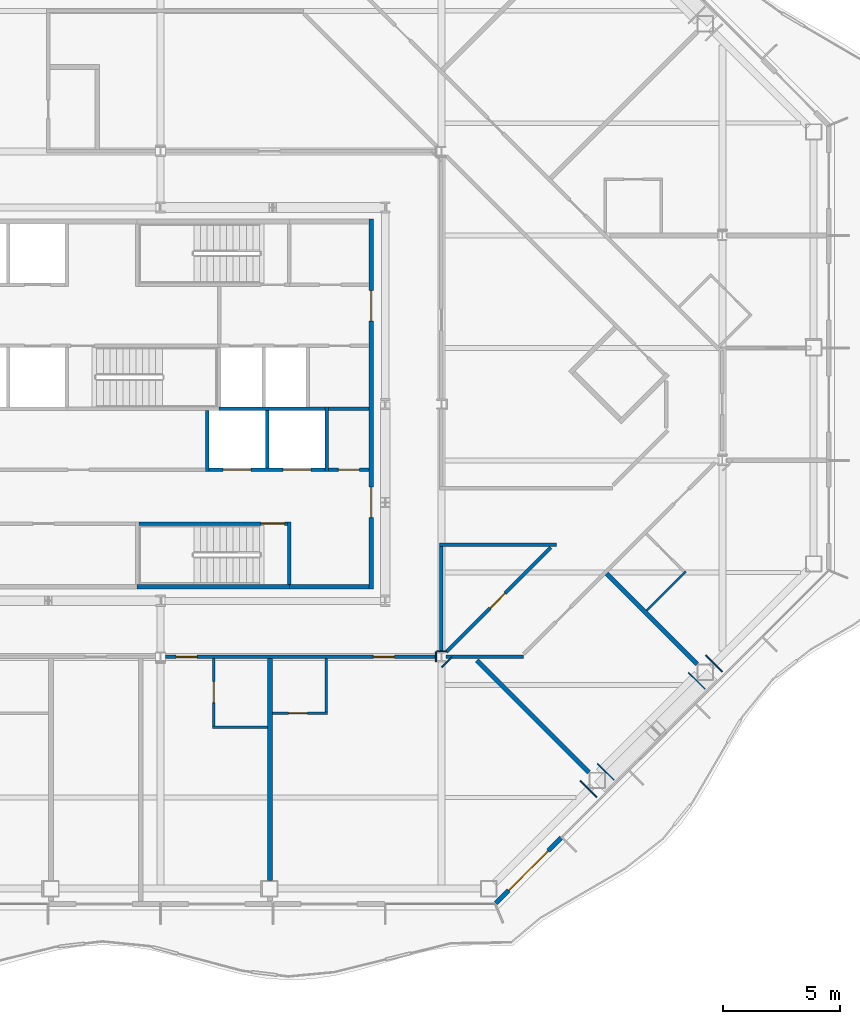
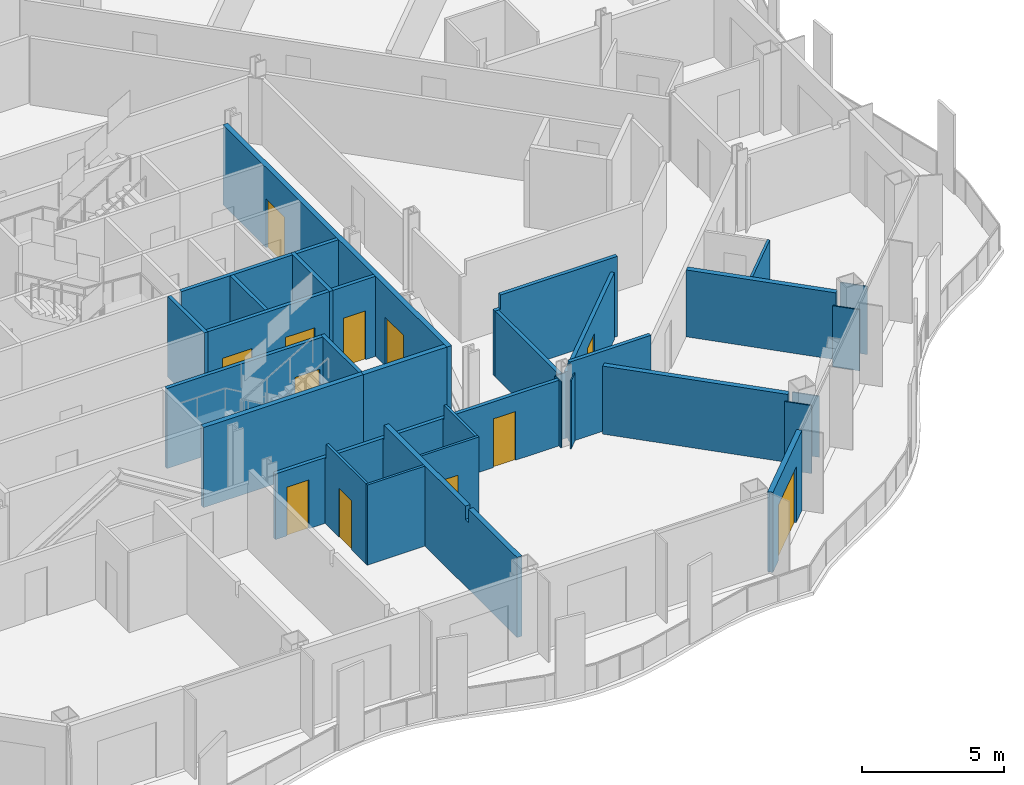
# One storey, part 9 of 21: 33 walls, 12 doors, 12 openings.
"""IFC4 building model written with IfcOpenShell, lengths in metres."""

from ifc_helpers import new_model, si_unit, direction, frame, frame_2d, origin, place, context, subcontext, project, spatial, polyline, rectangle, outline, extrude, material, layer, layer_set, type_object, element, fill, save


model = new_model("IFC4")

# Units and contexts
model_context = context("Model", 3, precision=1e-05, world=origin(), true_north=direction((0.0, 1.0)))
body_context = subcontext(model_context, "Body", "Model", "MODEL_VIEW")
ifc_project = project(units=[si_unit("LENGTHUNIT", "METRE"), si_unit("AREAUNIT", "SQUARE_METRE"), si_unit("VOLUMEUNIT", "CUBIC_METRE"), si_unit("PLANEANGLEUNIT", "RADIAN"), si_unit("MASSUNIT", "GRAM", prefix="KILO")], contexts=[model_context])

# Site, building, storey
site_placement = place(None, origin())
site = spatial("IfcSite", under=ifc_project, at=site_placement, CompositionType="ELEMENT")
building_placement = place(site_placement, origin())
building = spatial("IfcBuilding", under=site, at=building_placement, Name="Cairn Pilgrim Tower", CompositionType="ELEMENT")
storey_placement = place(building_placement, frame((0.0, 0.0, 132.60009765625)))
storey = spatial("IfcBuildingStorey", under=building, at=storey_placement, Name="L32", CompositionType="ELEMENT", Elevation=132.60009765625)

# Wall, opening, door
ifc_material_1 = material(Name="Bronze anodised aluminium insulated sandwich panel with mineral wool fill", Category="aluminium")
ifc_layer_1 = layer(ifc_material_1, 0.199951171875)
ifc_layer_set_1 = layer_set([ifc_layer_1], Name="BRONZE INFILL FRAME WALL 200")
wall_type_1 = type_object("IfcWallType", Name="BRONZE INFILL FRAME WALL 200", PredefinedType="NOTDEFINED", material=ifc_layer_set_1)
wall_1_placement = place(storey_placement, frame((21.524658203125, -18.921630859375, 0.0), z_axis=(0.0, 0.0, 1.0), x_axis=(0.707137595296, 0.707075965734, 0.0)))
wall_1 = element("IfcWall", 1, at=wall_1_placement, inside=storey, type_object=wall_type_1, Name="Bronze infill frame wall IW-SE1", PredefinedType="NOTDEFINED", context=body_context, shape_type="SweptSolid", body=[
    extrude(rectangle(XDim=3.96142578125, YDim=0.199951171875, at=frame_2d((1.980712890625, 0.0))), origin(), (0.0, 0.0, 1.0), 3.449951171875),
])
opening_1_placement = place(wall_1_placement, frame((0.775390625, 0.0, 0.0)))
opening_1 = element("IfcOpeningElement", 2, at=opening_1_placement, cuts=wall_1, Name="Opening 3202B2", PredefinedType="OPENING", context=body_context, shape_type="SweptSolid", body=[
    extrude(rectangle(XDim=2.39990234375, YDim=2.39990234375, at=frame_2d((1.199951171875, 1.199951171875))), frame((0.0, 0.10986328125, 0.0), z_axis=(0.0, -1.0, 0.0), x_axis=(1.0, 0.0, 0.0)), (0.0, 0.0, 1.0), 0.219970703125),
])
ifc_material_2 = material(Name="Bronze anodised aluminium frame with tinted low-E glass", Category="aluminium")
door_type_1 = type_object("IfcDoorType", Name="BALCONY SLIDING DOOR 2400x2400", OperationType="DOUBLE_DOOR_SLIDING", PredefinedType="DOOR", material=ifc_material_2)
door_1_placement = place(opening_1_placement, origin())
door_1 = element("IfcDoor", 3, at=door_1_placement, inside=storey, type_object=door_type_1, Name="Balcony sliding door 3202B2", OperationType="SINGLE_SWING_LEFT", OverallHeight=2.39990234375, OverallWidth=2.39990234375, PredefinedType="DOOR", context=body_context, shape_type="SweptSolid", body=[
    extrude(rectangle(XDim=2.39990234375, YDim=2.39990234375, at=frame_2d((1.199951171875, 1.199951171875))), frame((0.0, 0.02490234375, 0.0), z_axis=(0.0, -1.0, 0.0), x_axis=(1.0, 0.0, 0.0)), (0.0, 0.0, 1.0), 0.050048828125),
])
fill(opening_1, door_1)

# Wall
ifc_material_3 = material(Name="Concrete C32/40", Category="concrete")
ifc_layer_2 = layer(ifc_material_3, 0.199951171875)
ifc_layer_set_2 = layer_set([ifc_layer_2], Name="CORE OUTER WALL 200 EI 120")
wall_type_2 = type_object("IfcWallType", Name="CORE OUTER WALL 200 EI 120", PredefinedType="SOLIDWALL", material=ifc_layer_set_2)
wall_2_placement = place(storey_placement, frame((12.699951171875, -5.39990234375, 0.0), z_axis=(0.0, 0.0, 1.0), x_axis=(1.0, 0.0, 0.0)))
element("IfcWall", 4, at=wall_2_placement, inside=storey, type_object=wall_type_2, Name="CW:L32:H01-3", PredefinedType="SOLIDWALL", context=body_context, shape_type="SweptSolid", body=[
    extrude(rectangle(XDim=3.400146484375, YDim=0.199951171875, at=frame_2d((1.7001953125, 0.0))), origin(), (0.0, 0.0, 1.0), 3.449951171875),
])

# Wall, openings, doors
wall_3_placement = place(storey_placement, frame((16.199951171875, -5.5, 0.0), z_axis=(0.0, 0.0, 1.0), x_axis=(0.0, 1.0, 0.0)))
wall_3 = element("IfcWall", 5, at=wall_3_placement, inside=storey, type_object=wall_type_2, Name="CW:L32:V29", PredefinedType="SOLIDWALL", context=body_context, shape_type="SweptSolid", body=[
    extrude(rectangle(XDim=15.800048828125, YDim=0.199951171875, at=frame_2d((7.89990234375, 0.0))), origin(), (0.0, 0.0, 1.0), 3.449951171875),
])
opening_2_placement = place(wall_3_placement, frame((3.050048828125, 0.0, 0.0)))
opening_2 = element("IfcOpeningElement", 6, at=opening_2_placement, cuts=wall_3, Name="Opening CD-E1", PredefinedType="OPENING", context=body_context, shape_type="SweptSolid", body=[
    extrude(rectangle(XDim=1.300048828125, YDim=2.10009765625, at=frame_2d((0.64990234375, 1.050048828125))), frame((0.0, 0.10986328125, 0.0), z_axis=(0.0, -1.0, 0.0), x_axis=(1.0, 0.0, 0.0)), (0.0, 0.0, 1.0), 0.219970703125),
])
opening_3_placement = place(wall_3_placement, frame((11.449951171875, 0.0, 0.0)))
opening_3 = element("IfcOpeningElement", 7, at=opening_3_placement, cuts=wall_3, Name="Opening CD-E2", PredefinedType="OPENING", context=body_context, shape_type="SweptSolid", body=[
    extrude(rectangle(XDim=1.300048828125, YDim=2.10009765625, at=frame_2d((0.64990234375, 1.050048828125))), frame((0.0, 0.10986328125, 0.0), z_axis=(0.0, -1.0, 0.0), x_axis=(1.0, 0.0, 0.0)), (0.0, 0.0, 1.0), 0.219970703125),
])
ifc_material_4 = material(Name="Painted steel", Category="steel")
door_type_2 = type_object("IfcDoorType", Name="CORE LOBBY DOOR 1300x2100", OperationType="DOUBLE_DOOR_SINGLE_SWING", PredefinedType="DOOR", material=ifc_material_4)
door_2_placement = place(opening_2_placement, origin())
door_2 = element("IfcDoor", 8, at=door_2_placement, inside=storey, type_object=door_type_2, Name="CD-E1", OperationType="DOUBLE_DOOR_SINGLE_SWING", OverallHeight=2.10009765625, OverallWidth=1.300048828125, PredefinedType="DOOR", context=body_context, shape_type="SweptSolid", body=[
    extrude(rectangle(XDim=1.300048828125, YDim=2.10009765625, at=frame_2d((0.64990234375, 1.050048828125))), frame((0.0, 0.02490234375, 0.0), z_axis=(0.0, -1.0, 0.0), x_axis=(1.0, 0.0, 0.0)), (0.0, 0.0, 1.0), 0.050048828125),
])
fill(opening_2, door_2)
door_3_placement = place(opening_3_placement, origin())
door_3 = element("IfcDoor", 9, at=door_3_placement, inside=storey, type_object=door_type_2, Name="CD-E2", OperationType="DOUBLE_DOOR_SINGLE_SWING", OverallHeight=2.10009765625, OverallWidth=1.300048828125, PredefinedType="DOOR", context=body_context, shape_type="SweptSolid", body=[
    extrude(rectangle(XDim=1.300048828125, YDim=2.10009765625, at=frame_2d((0.64990234375, 1.050048828125))), frame((0.0, 0.02490234375, 0.0), z_axis=(0.0, -1.0, 0.0), x_axis=(1.0, 0.0, 0.0)), (0.0, 0.0, 1.0), 0.050048828125),
])
fill(opening_3, door_3)

# Wall, opening, door
ifc_layer_3 = layer(ifc_material_3, 0.14990234375)
ifc_layer_set_3 = layer_set([ifc_layer_3], Name="CORE PARTITION 150 EI 60")
wall_type_3 = type_object("IfcWallType", Name="CORE PARTITION 150 EI 60", PredefinedType="PARTITIONING", material=ifc_layer_set_3)
wall_4_placement = place(storey_placement, frame((14.375, -0.39990234375, 0.0), z_axis=(0.0, 0.0, 1.0), x_axis=(1.0, 0.0, 0.0)))
wall_4 = element("IfcWall", 10, at=wall_4_placement, inside=storey, type_object=wall_type_3, Name="CW:L32:H06", PredefinedType="PARTITIONING", context=body_context, shape_type="SweptSolid", body=[
    extrude(rectangle(XDim=1.72509765625, YDim=0.14990234375, at=frame_2d((0.862548828125, 0.0))), origin(), (0.0, 0.0, 1.0), 3.449951171875),
])
opening_4_placement = place(wall_4_placement, frame((0.425048828125, 0.0, 0.0)))
opening_4 = element("IfcOpeningElement", 11, at=opening_4_placement, cuts=wall_4, Name="Opening RD-R2E", PredefinedType="OPENING", context=body_context, shape_type="SweptSolid", body=[
    extrude(rectangle(XDim=0.89990234375, YDim=2.10009765625, at=frame_2d((0.449951171875, 1.050048828125))), frame((0.0, 0.0849609375, 0.0), z_axis=(0.0, -1.0, 0.0), x_axis=(1.0, 0.0, 0.0)), (0.0, 0.0, 1.0), 0.169921875),
])
door_type_3 = type_object("IfcDoorType", Name="SERVICE ROOM DOOR 900x2100", OperationType="SINGLE_SWING_LEFT", PredefinedType="DOOR", material=ifc_material_4)
door_4_placement = place(opening_4_placement, origin())
door_4 = element("IfcDoor", 12, at=door_4_placement, inside=storey, type_object=door_type_3, Name="RD-R2E", OperationType="SINGLE_SWING_RIGHT", OverallHeight=2.10009765625, OverallWidth=0.89990234375, PredefinedType="DOOR", context=body_context, shape_type="SweptSolid", body=[
    extrude(rectangle(XDim=0.89990234375, YDim=2.10009765625, at=frame_2d((0.449951171875, 1.050048828125))), frame((0.0, 0.02490234375, 0.0), z_axis=(0.0, -1.0, 0.0), x_axis=(1.0, 0.0, 0.0)), (0.0, 0.0, 1.0), 0.050048828125),
])
fill(opening_4, door_4)

# Wall
wall_5_placement = place(storey_placement, frame((14.375, 2.199951171875, 0.0), z_axis=(0.0, 0.0, 1.0), x_axis=(1.0, 0.0, 0.0)))
element("IfcWall", 13, at=wall_5_placement, inside=storey, type_object=wall_type_3, Name="CW:L32:H08", PredefinedType="PARTITIONING", context=body_context, shape_type="SweptSolid", body=[
    extrude(rectangle(XDim=1.72509765625, YDim=0.14990234375, at=frame_2d((0.862548828125, 0.0))), origin(), (0.0, 0.0, 1.0), 3.449951171875),
])

# Wall, openings, doors
ifc_layer_4 = layer(ifc_material_3, 0.14990234375)
ifc_layer_set_4 = layer_set([ifc_layer_4], Name="CORE SHAFT WALL 150 EI 120")
wall_type_4 = type_object("IfcWallType", Name="CORE SHAFT WALL 150 EI 120", PredefinedType="SOLIDWALL", material=ifc_layer_set_4)
wall_6_placement = place(storey_placement, frame((9.27490234375, -0.39990234375, 0.0), z_axis=(0.0, 0.0, 1.0), x_axis=(1.0, 0.0, 0.0)))
wall_6 = element("IfcWall", 14, at=wall_6_placement, inside=storey, type_object=wall_type_4, Name="CW:L32:H05", PredefinedType="SOLIDWALL", context=body_context, shape_type="SweptSolid", body=[
    extrude(rectangle(XDim=4.9501953125, YDim=0.14990234375, at=frame_2d((2.47509765625, 0.0))), origin(), (0.0, 0.0, 1.0), 3.449951171875),
])
opening_5_placement = place(wall_6_placement, frame((0.60009765625, 0.0, 0.0)))
opening_5 = element("IfcOpeningElement", 15, at=opening_5_placement, cuts=wall_6, Name="Opening LD-SV1", PredefinedType="OPENING", context=body_context, shape_type="SweptSolid", body=[
    extrude(rectangle(XDim=1.199951171875, YDim=2.10009765625, at=frame_2d((0.60009765625, 1.050048828125))), frame((0.0, 0.0849609375, 0.0), z_axis=(0.0, -1.0, 0.0), x_axis=(1.0, 0.0, 0.0)), (0.0, 0.0, 1.0), 0.169921875),
])
opening_6_placement = place(wall_6_placement, frame((3.14990234375, 0.0, 0.0)))
opening_6 = element("IfcOpeningElement", 16, at=opening_6_placement, cuts=wall_6, Name="Opening LD-SV2", PredefinedType="OPENING", context=body_context, shape_type="SweptSolid", body=[
    extrude(rectangle(XDim=1.199951171875, YDim=2.10009765625, at=frame_2d((0.60009765625, 1.050048828125))), frame((0.0, 0.0849609375, 0.0), z_axis=(0.0, -1.0, 0.0), x_axis=(1.0, 0.0, 0.0)), (0.0, 0.0, 1.0), 0.169921875),
])
ifc_material_5 = material(Name="Stainless steel", Category="steel")
door_type_4 = type_object("IfcDoorType", Name="LIFT LANDING DOOR 1200x2100", OperationType="DOUBLE_DOOR_SLIDING", PredefinedType="DOOR", material=ifc_material_5)
door_5_placement = place(opening_5_placement, origin())
door_5 = element("IfcDoor", 17, at=door_5_placement, inside=storey, type_object=door_type_4, Name="LANDING DOOR SV1", OperationType="DOUBLE_DOOR_SLIDING", OverallHeight=2.10009765625, OverallWidth=1.199951171875, PredefinedType="DOOR", context=body_context, shape_type="SweptSolid", body=[
    extrude(rectangle(XDim=1.199951171875, YDim=2.10009765625, at=frame_2d((0.60009765625, 1.050048828125))), frame((0.0, 0.02490234375, 0.0), z_axis=(0.0, -1.0, 0.0), x_axis=(1.0, 0.0, 0.0)), (0.0, 0.0, 1.0), 0.050048828125),
])
fill(opening_5, door_5)
door_6_placement = place(opening_6_placement, origin())
door_6 = element("IfcDoor", 18, at=door_6_placement, inside=storey, type_object=door_type_4, Name="LANDING DOOR SV2", OperationType="DOUBLE_DOOR_SLIDING", OverallHeight=2.10009765625, OverallWidth=1.199951171875, PredefinedType="DOOR", context=body_context, shape_type="SweptSolid", body=[
    extrude(rectangle(XDim=1.199951171875, YDim=2.10009765625, at=frame_2d((0.60009765625, 1.050048828125))), frame((0.0, 0.02490234375, 0.0), z_axis=(0.0, -1.0, 0.0), x_axis=(1.0, 0.0, 0.0)), (0.0, 0.0, 1.0), 0.050048828125),
])
fill(opening_6, door_6)

# Walls
wall_7_placement = place(storey_placement, frame((9.699951171875, 2.199951171875, 0.0), z_axis=(0.0, 0.0, 1.0), x_axis=(1.0, 0.0, 0.0)))
element("IfcWall", 19, at=wall_7_placement, inside=storey, type_object=wall_type_4, Name="CW:L32:H07-3", PredefinedType="SOLIDWALL", context=body_context, shape_type="SweptSolid", body=[
    extrude(rectangle(XDim=4.525146484375, YDim=0.14990234375, at=frame_2d((2.2626953125, 0.0))), origin(), (0.0, 0.0, 1.0), 3.449951171875),
])
wall_8_placement = place(storey_placement, frame((9.199951171875, -0.47509765625, 0.0), z_axis=(0.0, 0.0, 1.0), x_axis=(0.0, 1.0, 0.0)))
element("IfcWall", 20, at=wall_8_placement, inside=storey, type_object=wall_type_4, Name="CW:L32:V20", PredefinedType="SOLIDWALL", context=body_context, shape_type="SweptSolid", body=[
    extrude(rectangle(XDim=2.60009765625, YDim=0.14990234375, at=frame_2d((1.300048828125, 0.0))), origin(), (0.0, 0.0, 1.0), 3.449951171875),
])
wall_9_placement = place(storey_placement, frame((11.75, -0.324951171875, 0.0), z_axis=(0.0, 0.0, 1.0), x_axis=(0.0, 1.0, 0.0)))
element("IfcWall", 21, at=wall_9_placement, inside=storey, type_object=wall_type_4, Name="CW:L32:V24", PredefinedType="SOLIDWALL", context=body_context, shape_type="SweptSolid", body=[
    extrude(rectangle(XDim=2.449951171875, YDim=0.14990234375, at=frame_2d((1.22509765625, 0.0))), origin(), (0.0, 0.0, 1.0), 3.449951171875),
])
wall_10_placement = place(storey_placement, frame((14.300048828125, -0.47509765625, 0.0), z_axis=(0.0, 0.0, 1.0), x_axis=(0.0, 1.0, 0.0)))
element("IfcWall", 22, at=wall_10_placement, inside=storey, type_object=wall_type_4, Name="CW:L32:V28", PredefinedType="SOLIDWALL", context=body_context, shape_type="SweptSolid", body=[
    extrude(rectangle(XDim=2.75, YDim=0.14990234375, at=frame_2d((1.375, 0.0))), origin(), (0.0, 0.0, 1.0), 3.449951171875),
])
ifc_material_6 = material(Name="Gypsum partition")
ifc_layer_5 = layer(ifc_material_6, 0.10009765625)
ifc_layer_set_5 = layer_set([ifc_layer_5], Name="PARTITION 100 DRYWALL")
wall_type_5 = type_object("IfcWallType", Name="PARTITION 100 DRYWALL", PredefinedType="PARTITIONING", material=ifc_layer_set_5)
wall_11_placement = place(storey_placement, frame((9.426025390625, -11.39990234375, 0.0), z_axis=(0.0, 0.0, 1.0), x_axis=(1.0, 0.0, 0.0)))
element("IfcWall", 23, at=wall_11_placement, inside=storey, type_object=wall_type_5, Name="PARTITION W008", PredefinedType="PARTITIONING", context=body_context, shape_type="SweptSolid", body=[
    extrude(rectangle(XDim=2.349853515625, YDim=0.10009765625, at=frame_2d((1.1748046875, 0.0))), origin(), (0.0, 0.0, 1.0), 3.449951171875),
])

# Wall, opening, door
wall_12_placement = place(storey_placement, frame((9.47607421875, -11.35009765625, 0.0), z_axis=(0.0, 0.0, 1.0), x_axis=(0.0, 1.0, 0.0)))
wall_12 = element("IfcWall", 24, at=wall_12_placement, inside=storey, type_object=wall_type_5, Name="PARTITION W009", PredefinedType="PARTITIONING", context=body_context, shape_type="SweptSolid", body=[
    extrude(outline(polyline([(0.0, 0.0), (2.875, 0.0), (2.875, 2.829833984375), (2.800048828125, 2.829833984375), (2.798095703125, 3.449951171875), (0.0, 3.449951171875), (0.0, 0.0)])), frame((0.0, 0.050048828125, 0.0), z_axis=(0.0, -1.0, 0.0), x_axis=(1.0, 0.0, 0.0)), (0.0, 0.0, 1.0), 0.10009765625),
])
opening_7_placement = place(wall_12_placement, frame((1.0, 0.0, 0.0)))
opening_7 = element("IfcOpeningElement", 25, at=opening_7_placement, cuts=wall_12, Name="Opening 3201A", PredefinedType="OPENING", context=body_context, shape_type="SweptSolid", body=[
    extrude(rectangle(XDim=0.89990234375, YDim=2.10009765625, at=frame_2d((0.449951171875, 1.050048828125))), frame((0.0, 0.06005859375, 0.0), z_axis=(0.0, -1.0, 0.0), x_axis=(1.0, 0.0, 0.0)), (0.0, 0.0, 1.0), 0.1201171875),
])
ifc_material_7 = material(Name="Timber door leaf", Category="wood")
door_type_5 = type_object("IfcDoorType", Name="WC DOOR 900x2100", OperationType="NOTDEFINED", PredefinedType="DOOR", material=ifc_material_7)
door_7_placement = place(opening_7_placement, origin())
door_7 = element("IfcDoor", 26, at=door_7_placement, inside=storey, type_object=door_type_5, Name="DOOR 3201A", OperationType="SINGLE_SWING_LEFT", OverallHeight=2.10009765625, OverallWidth=0.89990234375, PredefinedType="DOOR", context=body_context, shape_type="SweptSolid", body=[
    extrude(rectangle(XDim=0.89990234375, YDim=2.10009765625, at=frame_2d((0.449951171875, 1.050048828125))), frame((0.0, 0.02490234375, 0.0), z_axis=(0.0, -1.0, 0.0), x_axis=(1.0, 0.0, 0.0)), (0.0, 0.0, 1.0), 0.050048828125),
])
fill(opening_7, door_7)

wall_13_placement = place(storey_placement, frame((11.97607421875, -10.800048828125, 0.0), z_axis=(0.0, 0.0, 1.0), x_axis=(1.0, 0.0, 0.0)))
wall_13 = element("IfcWall", 27, at=wall_13_placement, inside=storey, type_object=wall_type_5, Name="PARTITION W012", PredefinedType="PARTITIONING", context=body_context, shape_type="SweptSolid", body=[
    extrude(rectangle(XDim=2.349853515625, YDim=0.10009765625, at=frame_2d((1.1748046875, 0.0))), origin(), (0.0, 0.0, 1.0), 3.449951171875),
])
opening_8_placement = place(wall_13_placement, frame((0.699951171875, 0.0, 0.0)))
opening_8 = element("IfcOpeningElement", 28, at=opening_8_placement, cuts=wall_13, Name="Opening 3202A", PredefinedType="OPENING", context=body_context, shape_type="SweptSolid", body=[
    extrude(rectangle(XDim=0.800048828125, YDim=2.10009765625, at=frame_2d((0.39990234375, 1.050048828125))), frame((0.0, 0.06005859375, 0.0), z_axis=(0.0, -1.0, 0.0), x_axis=(1.0, 0.0, 0.0)), (0.0, 0.0, 1.0), 0.1201171875),
])
door_type_6 = type_object("IfcDoorType", Name="WC DOOR 800x2100", OperationType="NOTDEFINED", PredefinedType="DOOR", material=ifc_material_7)
door_8_placement = place(opening_8_placement, frame((0.800048828125, 0.0, 0.0), z_axis=(0.0, 0.0, 1.0), x_axis=(-1.0, 0.0, 0.0)))
door_8 = element("IfcDoor", 29, at=door_8_placement, inside=storey, type_object=door_type_6, Name="DOOR 3202A", OperationType="SINGLE_SWING_LEFT", OverallHeight=2.10009765625, OverallWidth=0.800048828125, PredefinedType="DOOR", context=body_context, shape_type="SweptSolid", body=[
    extrude(rectangle(XDim=0.800048828125, YDim=2.10009765625, at=frame_2d((0.39990234375, 1.050048828125))), frame((0.0, 0.02490234375, 0.0), z_axis=(0.0, -1.0, 0.0), x_axis=(1.0, 0.0, 0.0)), (0.0, 0.0, 1.0), 0.050048828125),
])
fill(opening_8, door_8)

# Walls
wall_14_placement = place(storey_placement, frame((14.27587890625, -10.75, 0.0), z_axis=(0.0, 0.0, 1.0), x_axis=(0.0, 1.0, 0.0)))
element("IfcWall", 30, at=wall_14_placement, inside=storey, type_object=wall_type_5, Name="PARTITION W013", PredefinedType="PARTITIONING", context=body_context, shape_type="SweptSolid", body=[
    extrude(outline(polyline([(0.0, 0.0), (2.27490234375, 0.0), (2.27490234375, 2.829833984375), (2.199951171875, 2.829833984375), (2.197998046875, 3.449951171875), (0.0, 3.449951171875), (0.0, 0.0)])), frame((0.0, 0.050048828125, 0.0), z_axis=(0.0, -1.0, 0.0), x_axis=(1.0, 0.0, 0.0)), (0.0, 0.0, 1.0), 0.10009765625),
])
wall_15_placement = place(storey_placement, frame((27.976806640625, -6.411376953125, 0.0), z_axis=(0.0, 0.0, 1.0), x_axis=(0.707054828152, 0.707158730404, 0.0)))
element("IfcWall", 31, at=wall_15_placement, inside=storey, type_object=wall_type_5, Name="PARTITION W027", PredefinedType="PARTITIONING", context=body_context, shape_type="SweptSolid", body=[
    extrude(rectangle(XDim=2.349609375, YDim=0.10009765625, at=frame_2d((1.1748046875, 0.0))), origin(), (0.0, 0.0, 1.0), 2.8798828125),
])

# Wall, openings, doors
ifc_layer_6 = layer(ifc_material_6, 0.14990234375)
ifc_layer_set_6 = layer_set([ifc_layer_6], Name="PARTITION 150 DRYWALL EI 60")
wall_type_6 = type_object("IfcWallType", Name="PARTITION 150 DRYWALL EI 60", PredefinedType="PARTITIONING", material=ifc_layer_set_6)
wall_16_placement = place(storey_placement, frame((7.404541015625, -8.39990234375, 0.0), z_axis=(0.0, 0.0, 1.0), x_axis=(1.0, 0.0, 0.0)))
wall_16 = element("IfcWall", 32, at=wall_16_placement, inside=storey, type_object=wall_type_6, Name="PARTITION W019", PredefinedType="PARTITIONING", context=body_context, shape_type="SweptSolid", body=[
    extrude(rectangle(XDim=11.591064453125, YDim=0.14990234375, at=frame_2d((5.79541015625, 0.0))), origin(), (0.0, 0.0, 1.0), 2.829833984375),
])
opening_9_placement = place(wall_16_placement, frame((0.46240234375, 0.0, 0.0)))
opening_9 = element("IfcOpeningElement", 33, at=opening_9_placement, cuts=wall_16, Name="Opening 3201", PredefinedType="OPENING", context=body_context, shape_type="SweptSolid", body=[
    extrude(rectangle(XDim=0.89990234375, YDim=2.10009765625, at=frame_2d((0.449951171875, 1.050048828125))), frame((0.0, 0.0849609375, 0.0), z_axis=(0.0, -1.0, 0.0), x_axis=(1.0, 0.0, 0.0)), (0.0, 0.0, 1.0), 0.169921875),
])
opening_10_placement = place(wall_16_placement, frame((8.883544921875, 0.0, 0.0)))
opening_10 = element("IfcOpeningElement", 34, at=opening_10_placement, cuts=wall_16, Name="Opening 3202", PredefinedType="OPENING", context=body_context, shape_type="SweptSolid", body=[
    extrude(rectangle(XDim=0.89990234375, YDim=2.10009765625, at=frame_2d((0.449951171875, 1.050048828125))), frame((0.0, 0.0849609375, 0.0), z_axis=(0.0, -1.0, 0.0), x_axis=(1.0, 0.0, 0.0)), (0.0, 0.0, 1.0), 0.169921875),
])
door_type_7 = type_object("IfcDoorType", Name="ROOM DOOR 900x2100 FD30S", OperationType="NOTDEFINED", PredefinedType="DOOR", material=ifc_material_7)
door_9_placement = place(opening_9_placement, frame((0.89990234375, 0.0, 0.0), z_axis=(0.0, 0.0, 1.0), x_axis=(-1.0, 0.0, 0.0)))
door_9 = element("IfcDoor", 35, at=door_9_placement, inside=storey, type_object=door_type_7, Name="DOOR 3201", OperationType="SINGLE_SWING_LEFT", OverallHeight=2.10009765625, OverallWidth=0.89990234375, PredefinedType="DOOR", context=body_context, shape_type="SweptSolid", body=[
    extrude(rectangle(XDim=0.89990234375, YDim=2.10009765625, at=frame_2d((0.449951171875, 1.050048828125))), frame((0.0, 0.02490234375, 0.0), z_axis=(0.0, -1.0, 0.0), x_axis=(1.0, 0.0, 0.0)), (0.0, 0.0, 1.0), 0.050048828125),
])
fill(opening_9, door_9)
door_10_placement = place(opening_10_placement, frame((0.89990234375, 0.0, 0.0), z_axis=(0.0, 0.0, 1.0), x_axis=(-1.0, 0.0, 0.0)))
door_10 = element("IfcDoor", 36, at=door_10_placement, inside=storey, type_object=door_type_7, Name="DOOR 3202", OperationType="SINGLE_SWING_LEFT", OverallHeight=2.10009765625, OverallWidth=0.89990234375, PredefinedType="DOOR", context=body_context, shape_type="SweptSolid", body=[
    extrude(rectangle(XDim=0.89990234375, YDim=2.10009765625, at=frame_2d((0.449951171875, 1.050048828125))), frame((0.0, 0.02490234375, 0.0), z_axis=(0.0, -1.0, 0.0), x_axis=(1.0, 0.0, 0.0)), (0.0, 0.0, 1.0), 0.050048828125),
])
fill(opening_10, door_10)

# Walls
wall_17_placement = place(storey_placement, frame((19.404541015625, -8.39990234375, 0.0), z_axis=(0.0, 0.0, 1.0), x_axis=(1.0, 0.0, 0.0)))
element("IfcWall", 37, at=wall_17_placement, inside=storey, type_object=wall_type_6, Name="PARTITION W020", PredefinedType="PARTITIONING", context=body_context, shape_type="SweptSolid", body=[
    extrude(rectangle(XDim=3.29541015625, YDim=0.14990234375, at=frame_2d((1.647705078125, 0.0))), origin(), (0.0, 0.0, 1.0), 3.449951171875),
])
wall_18_placement = place(storey_placement, frame((19.199951171875, -8.1875, 0.0), z_axis=(0.0, 0.0, 1.0), x_axis=(0.0, 1.0, 0.0)))
element("IfcWall", 38, at=wall_18_placement, inside=storey, type_object=wall_type_6, Name="PARTITION W025", PredefinedType="PARTITIONING", context=body_context, shape_type="SweptSolid", body=[
    extrude(rectangle(XDim=4.512451171875, YDim=0.14990234375, at=frame_2d((2.25634765625, 0.0))), origin(), (0.0, 0.0, 1.0), 2.829833984375),
])

# Wall, opening, door
wall_19_placement = place(storey_placement, frame((19.408447265625, -8.19140625, 0.0), z_axis=(0.0, 0.0, 1.0), x_axis=(0.707126119272, 0.707087442572, 0.0)))
wall_19 = element("IfcWall", 39, at=wall_19_placement, inside=storey, type_object=wall_type_6, Name="PARTITION W026", PredefinedType="PARTITIONING", context=body_context, shape_type="SweptSolid", body=[
    extrude(rectangle(XDim=6.312255859375, YDim=0.14990234375, at=frame_2d((3.15625, 0.0))), origin(), (0.0, 0.0, 1.0), 2.8798828125),
])
opening_11_placement = place(wall_19_placement, frame((2.649169921875, 0.0, 0.0)))
opening_11 = element("IfcOpeningElement", 40, at=opening_11_placement, cuts=wall_19, Name="Opening 3220", PredefinedType="OPENING", context=body_context, shape_type="SweptSolid", body=[
    extrude(rectangle(XDim=0.89990234375, YDim=2.10009765625, at=frame_2d((0.449951171875, 1.050048828125))), frame((0.0, 0.0849609375, 0.0), z_axis=(0.0, -1.0, 0.0), x_axis=(1.0, 0.0, 0.0)), (0.0, 0.0, 1.0), 0.169921875),
])
door_type_8 = type_object("IfcDoorType", Name="SERVICE DOOR 900x2100 FD30S", OperationType="NOTDEFINED", PredefinedType="DOOR", material=ifc_material_7)
door_11_placement = place(opening_11_placement, origin())
door_11 = element("IfcDoor", 41, at=door_11_placement, inside=storey, type_object=door_type_8, Name="DOOR 3220", OperationType="SINGLE_SWING_LEFT", OverallHeight=2.10009765625, OverallWidth=0.89990234375, PredefinedType="DOOR", context=body_context, shape_type="SweptSolid", body=[
    extrude(rectangle(XDim=0.89990234375, YDim=2.10009765625, at=frame_2d((0.449951171875, 1.050048828125))), frame((0.0, 0.02490234375, 0.0), z_axis=(0.0, -1.0, 0.0), x_axis=(1.0, 0.0, 0.0)), (0.0, 0.0, 1.0), 0.050048828125),
])
fill(opening_11, door_11)

# Walls
wall_20_placement = place(storey_placement, frame((19.125, -3.60009765625, 0.0), z_axis=(0.0, 0.0, 1.0), x_axis=(1.0, 0.0, 0.0)))
element("IfcWall", 42, at=wall_20_placement, inside=storey, type_object=wall_type_6, Name="PARTITION W030", PredefinedType="PARTITIONING", context=body_context, shape_type="SweptSolid", body=[
    extrude(outline(polyline([(0.0, 0.0), (4.981201171875, 0.0), (4.981201171875, 3.449951171875), (0.22509765625, 3.449951171875), (0.222900390625, 2.829833984375), (0.0, 2.829833984375), (0.0, 0.0)])), frame((0.0, 0.074951171875, 0.0), z_axis=(0.0, -1.0, 0.0), x_axis=(1.0, 0.0, 0.0)), (0.0, 0.0, 1.0), 0.14990234375),
])
ifc_layer_7 = layer(ifc_material_6, 0.050048828125)
ifc_layer_set_7 = layer_set([ifc_layer_7], Name="PARTITION 50 DRYWALL EI 60")
wall_type_7 = type_object("IfcWallType", Name="PARTITION 50 DRYWALL EI 60", PredefinedType="PARTITIONING", material=ifc_layer_set_7)
wall_21_placement = place(storey_placement, frame((25.833740234375, -14.393310546875, 0.0), z_axis=(0.0, 0.0, 1.0), x_axis=(-0.707106781187, 0.707106781187, 0.0)))
element("IfcWall", 43, at=wall_21_placement, inside=storey, type_object=wall_type_7, Name="COLUMN CASING WC05", PredefinedType="PARTITIONING", context=body_context, shape_type="SweptSolid", body=[
    extrude(rectangle(XDim=0.989990234375, YDim=0.050048828125, at=frame_2d((0.4951171875, 0.0))), origin(), (0.0, 0.0, 1.0), 2.929931640625),
])
for number, where, z_axis, x_axis, name in (
    (44, (26.569091796875, -13.657958984375, 0.0), (0.0, 0.0, 1.0), (-0.707106781187, 0.707106781187, 0.0), "COLUMN CASING WC06"),
    (45, (30.4580078125, -9.769287109375, 0.0), (0.0, 0.0, 1.0), (-0.706983473703, 0.707230067171, 0.0), "COLUMN CASING WC08"),
):
    element("IfcWall", number, at=place(storey_placement, frame(where, z_axis=z_axis, x_axis=x_axis)), inside=storey, type_object=wall_type_7, Name=name, PredefinedType="PARTITIONING", context=body_context, shape_type="SweptSolid", body=[
        extrude(rectangle(XDim=0.989990234375, YDim=0.050048828125, at=frame_2d((0.4951171875, 0.0))), origin(), (0.0, 0.0, 1.0), 2.6298828125),
    ])
wall_22_placement = place(storey_placement, frame((31.193359375, -9.03369140625, 0.0), z_axis=(0.0, 0.0, 1.0), x_axis=(-0.707106781187, 0.707106781187, 0.0)))
element("IfcWall", 46, at=wall_22_placement, inside=storey, type_object=wall_type_7, Name="COLUMN CASING WC09", PredefinedType="PARTITIONING", context=body_context, shape_type="SweptSolid", body=[
    extrude(rectangle(XDim=0.989990234375, YDim=0.050048828125, at=frame_2d((0.4951171875, 0.0))), origin(), (0.0, 0.0, 1.0), 2.929931640625),
])
wall_23_placement = place(storey_placement, frame((18.99560546875, -8.16259765625, 0.0), z_axis=(0.0, 0.0, 1.0), x_axis=(1.0, 0.0, 0.0)))
element("IfcWall", 47, at=wall_23_placement, inside=storey, type_object=wall_type_7, Name="COLUMN CASING WC12", PredefinedType="PARTITIONING", context=body_context, shape_type="SweptSolid", body=[
    extrude(rectangle(XDim=0.408935546875, YDim=0.050048828125, at=frame_2d((0.20458984375, 0.0))), origin(), (0.0, 0.0, 1.0), 2.829833984375),
])
wall_24_placement = place(storey_placement, frame((18.970458984375, -8.612548828125, 0.0), z_axis=(0.0, 0.0, 1.0), x_axis=(0.0, 1.0, 0.0)))
element("IfcWall", 48, at=wall_24_placement, inside=storey, type_object=wall_type_7, Name="COLUMN CASING WC15", PredefinedType="PARTITIONING", context=body_context, shape_type="SweptSolid", body=[
    extrude(rectangle(XDim=0.425048828125, YDim=0.050048828125, at=frame_2d((0.21240234375, 0.0))), origin(), (0.0, 0.0, 1.0), 2.829833984375),
])
wall_25_placement = place(storey_placement, frame((19.2177734375, -8.834716796875, 0.0), z_axis=(0.0, 0.0, 1.0), x_axis=(0.707106781187, 0.707106781187, 0.0)))
element("IfcWall", 49, at=wall_25_placement, inside=storey, type_object=wall_type_7, Name="COLUMN CASING WC16", PredefinedType="PARTITIONING", context=body_context, shape_type="SweptSolid", body=[
    extrude(rectangle(XDim=0.589599609375, YDim=0.050048828125, at=frame_2d((0.294921875, 0.0))), origin(), (0.0, 0.0, 1.0), 2.929931640625),
])
ifc_layer_8 = layer(ifc_material_6, 0.199951171875)
ifc_layer_set_8 = layer_set([ifc_layer_8], Name="SHAFT WALL 200 GYPSUM EI 60")
wall_type_8 = type_object("IfcWallType", Name="SHAFT WALL 200 GYPSUM EI 60", PredefinedType="PARTITIONING", material=ifc_layer_set_8)
wall_26_placement = place(storey_placement, frame((11.8759765625, -17.949951171875, 0.0), z_axis=(0.0, 0.0, 1.0), x_axis=(0.0, 1.0, 0.0)))
element("IfcWall", 50, at=wall_26_placement, inside=storey, type_object=wall_type_8, Name="PARTITION W005", PredefinedType="PARTITIONING", context=body_context, shape_type="SweptSolid", body=[
    extrude(outline(polyline([(0.0, 0.0), (9.474853515625, 0.0), (9.47509765625, 2.829833984375), (9.39990234375, 2.829833984375), (9.39794921875, 3.449951171875), (3.655029296875, 3.449951171875), (3.653076171875, 2.8798828125), (3.445068359375, 2.8798828125), (3.443115234375, 3.449951171875), (0.0, 3.449951171875), (0.0, 0.0)])), frame((0.0, 0.10009765625, 0.0), z_axis=(0.0, -1.0, 0.0), x_axis=(1.0, 0.0, 0.0)), (0.0, 0.0, 1.0), 0.199951171875),
])
wall_27_placement = place(storey_placement, frame((25.501708984375, -13.32568359375, 0.0), z_axis=(0.0, 0.0, 1.0), x_axis=(-0.707106781187, 0.707106781187, 0.0)))
element("IfcWall", 51, at=wall_27_placement, inside=storey, type_object=wall_type_8, Name="PARTITION W007", PredefinedType="PARTITIONING", context=body_context, shape_type="SweptSolid", body=[
    extrude(rectangle(XDim=6.760009765625, YDim=0.199951171875, at=frame_2d((3.3798828125, 0.0))), origin(), (0.0, 0.0, 1.0), 2.929931640625),
])
wall_28_placement = place(storey_placement, frame((30.12548828125, -8.70166015625, 0.0), z_axis=(0.0, 0.0, 1.0), x_axis=(-0.707084440093, 0.707129121574, 0.0)))
element("IfcWall", 52, at=wall_28_placement, inside=storey, type_object=wall_type_8, Name="PARTITION W016", PredefinedType="PARTITIONING", context=body_context, shape_type="SweptSolid", body=[
    extrude(rectangle(XDim=5.464111328125, YDim=0.199951171875, at=frame_2d((2.73193359375, 0.0))), origin(), (0.0, 0.0, 1.0), 2.8798828125),
])

# Wall, opening, door
ifc_material_8 = material(Name="Concrete C35/45", Category="concrete")
ifc_layer_9 = layer(ifc_material_8, 0.14990234375)
ifc_layer_set_9 = layer_set([ifc_layer_9], Name="STAIR SHAFT WALL 150 EI 120")
wall_type_9 = type_object("IfcWallType", Name="STAIR SHAFT WALL 150 EI 120", PredefinedType="SOLIDWALL", material=ifc_layer_set_9)
wall_29_placement = place(storey_placement, frame((6.27490234375, -2.699951171875, 0.0), z_axis=(0.0, 0.0, 1.0), x_axis=(1.0, 0.0, 0.0)))
wall_29 = element("IfcWall", 53, at=wall_29_placement, inside=storey, type_object=wall_type_9, Name="CW:L32:H03", PredefinedType="SOLIDWALL", context=body_context, shape_type="SweptSolid", body=[
    extrude(rectangle(XDim=6.35009765625, YDim=0.14990234375, at=frame_2d((3.175048828125, 0.0))), origin(), (0.0, 0.0, 1.0), 3.449951171875),
])
opening_12_placement = place(wall_29_placement, frame((5.22509765625, 0.0, 0.0)))
opening_12 = element("IfcOpeningElement", 54, at=opening_12_placement, cuts=wall_29, Name="Opening SD-A", PredefinedType="OPENING", context=body_context, shape_type="SweptSolid", body=[
    extrude(rectangle(XDim=1.0, YDim=2.10009765625, at=frame_2d((0.5, 1.050048828125))), frame((0.0, 0.0849609375, 0.0), z_axis=(0.0, -1.0, 0.0), x_axis=(1.0, 0.0, 0.0)), (0.0, 0.0, 1.0), 0.169921875),
])
door_type_9 = type_object("IfcDoorType", Name="STAIR DOOR FD60S 1000x2100", OperationType="SINGLE_SWING_LEFT", PredefinedType="DOOR", material=ifc_material_4)
door_12_placement = place(opening_12_placement, origin())
door_12 = element("IfcDoor", 55, at=door_12_placement, inside=storey, type_object=door_type_9, Name="SD-A", OperationType="SINGLE_SWING_LEFT", OverallHeight=2.10009765625, OverallWidth=1.0, PredefinedType="DOOR", context=body_context, shape_type="SweptSolid", body=[
    extrude(rectangle(XDim=1.0, YDim=2.10009765625, at=frame_2d((0.5, 1.050048828125))), frame((0.0, 0.02490234375, 0.0), z_axis=(0.0, -1.0, 0.0), x_axis=(1.0, 0.0, 0.0)), (0.0, 0.0, 1.0), 0.050048828125),
])
fill(opening_12, door_12)

# Walls
wall_30_placement = place(storey_placement, frame((12.699951171875, -5.300048828125, 0.0), z_axis=(0.0, 0.0, 1.0), x_axis=(0.0, 1.0, 0.0)))
element("IfcWall", 56, at=wall_30_placement, inside=storey, type_object=wall_type_9, Name="CW:L32:V25", PredefinedType="SOLIDWALL", context=body_context, shape_type="SweptSolid", body=[
    extrude(rectangle(XDim=2.675048828125, YDim=0.14990234375, at=frame_2d((1.33740234375, 0.0))), origin(), (0.0, 0.0, 1.0), 3.449951171875),
])
ifc_layer_10 = layer(ifc_material_8, 0.199951171875)
ifc_layer_set_10 = layer_set([ifc_layer_10], Name="STAIR SHAFT WALL 200 EI 120")
wall_type_10 = type_object("IfcWallType", Name="STAIR SHAFT WALL 200 EI 120", PredefinedType="SOLIDWALL", material=ifc_layer_set_10)
wall_31_placement = place(storey_placement, frame((6.199951171875, -5.39990234375, 0.0), z_axis=(0.0, 0.0, 1.0), x_axis=(1.0, 0.0, 0.0)))
element("IfcWall", 57, at=wall_31_placement, inside=storey, type_object=wall_type_10, Name="CW:L32:H01-2", PredefinedType="SOLIDWALL", context=body_context, shape_type="SweptSolid", body=[
    extrude(rectangle(XDim=6.5, YDim=0.199951171875, at=frame_2d((3.25, 0.0))), origin(), (0.0, 0.0, 1.0), 3.449951171875),
])

save(model, "model.ifc")
